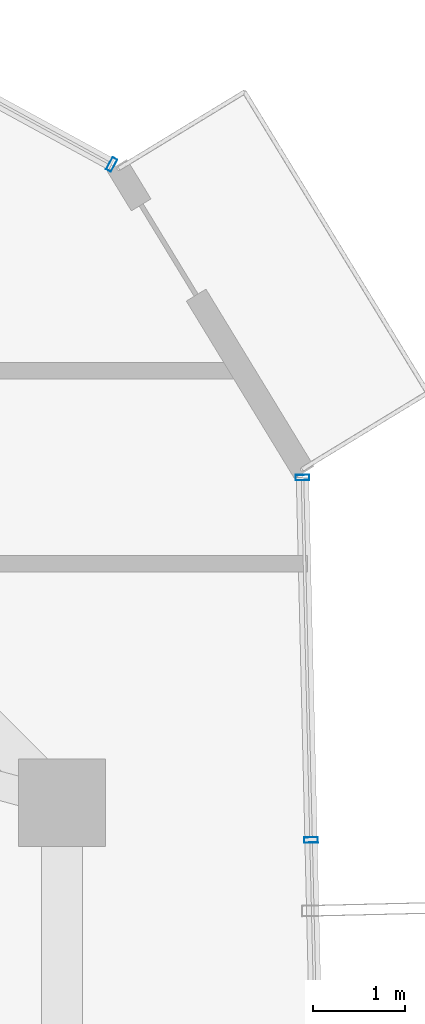
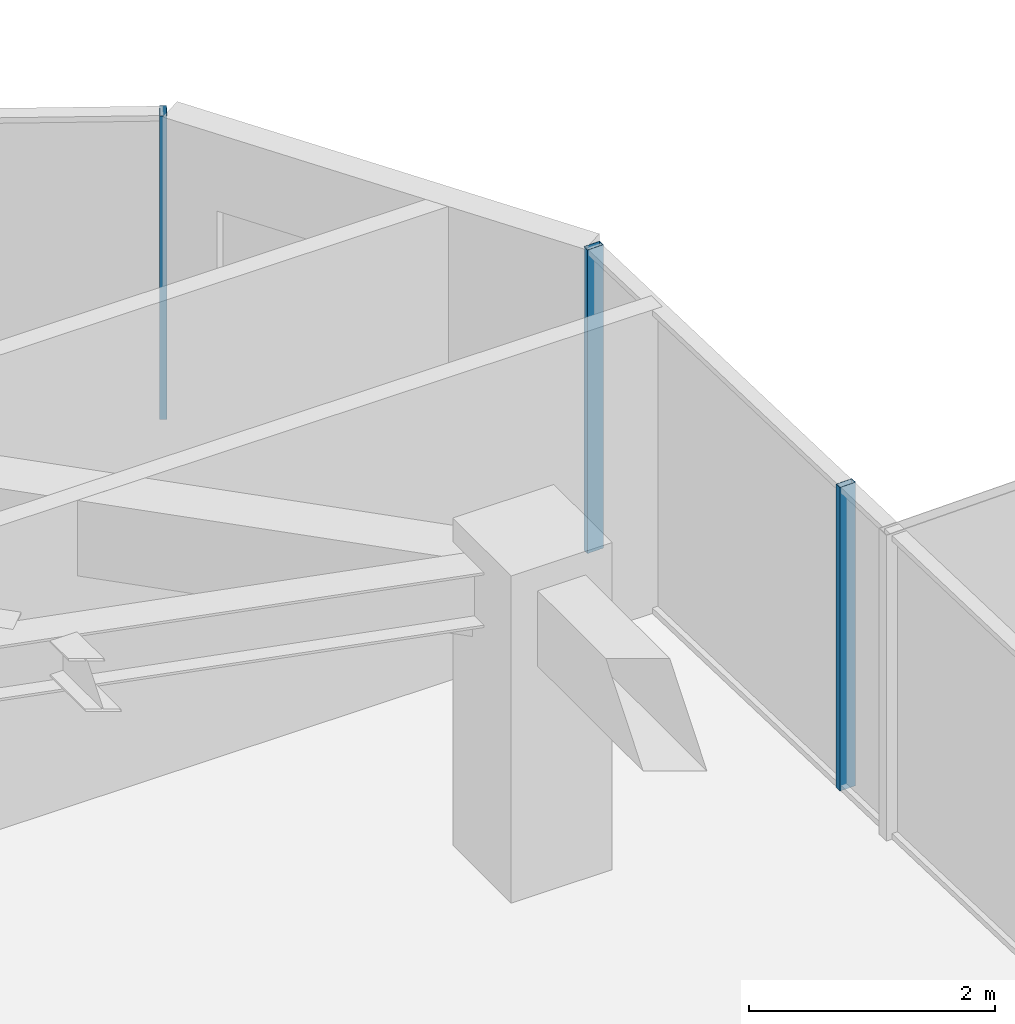
# One storey, part 20 of 32: 3 members, 2 elements without a shape of their own.
"""IFC4 building model written with IfcOpenShell, lengths in metres."""

from ifc_helpers import new_model, si_unit, direction, frame, origin, origin_2d, place, context, subcontext, project, spatial, hollow_rectangle, extrude, source, transform, mapped, material, layer, layer_set, material_profile, profile_set, type_object, element, aggregate, save


model = new_model("IFC4")

# Units and contexts
model_context = context("Model", 3, precision=1e-05, world=origin(), true_north=direction((0.0, 1.0)))
body_context = subcontext(model_context, "Body", "Model", "MODEL_VIEW")
ifc_project = project(units=[si_unit("LENGTHUNIT", "METRE"), si_unit("AREAUNIT", "SQUARE_METRE"), si_unit("VOLUMEUNIT", "CUBIC_METRE"), si_unit("PLANEANGLEUNIT", "RADIAN"), si_unit("MASSUNIT", "GRAM", prefix="KILO")], contexts=[model_context])

# Site, building, storey
site_placement = place(None, origin())
site = spatial("IfcSite", under=ifc_project, at=site_placement, CompositionType="ELEMENT")
building_placement = place(site_placement, origin())
building = spatial("IfcBuilding", under=site, at=building_placement, Name="Veraguas Prism Commons", CompositionType="ELEMENT")
storey_placement = place(building_placement, frame((0.0, 0.0, 201.60009765625)))
storey = spatial("IfcBuildingStorey", under=building, at=storey_placement, Name="L57", CompositionType="ELEMENT", Elevation=201.60009765625)

# Curtain wall, member
ifc_material = material(Name="Anodised aluminium EN AW-6063 T6", Category="aluminium")
ifc_layer = layer(ifc_material, 0.14990234375, Name="Unitised Flush Curtain Wall Zone 3", Category="aluminium")
ifc_layer_set = layer_set([ifc_layer], Name="Anodised aluminium EN AW-6063 T6")
curtain_wall_type = type_object("IfcCurtainWallType", Name="Unitised Flush Curtain Wall Zone 3", PredefinedType="NOTDEFINED", material=ifc_layer_set)
curtain_wall_1_placement = place(storey_placement, origin())
curtain_wall_1 = element("IfcCurtainWall", 1, at=curtain_wall_1_placement, inside=storey, type_object=curtain_wall_type, Name="Tower Facade Curtain Wall L57-F1", PredefinedType="NOTDEFINED")
ifc_material_profile = material_profile(ifc_material, hollow_rectangle(XDim=0.06005859375, YDim=0.14990234375, WallThickness=0.0029296875, at=origin_2d()), Name="AL60X150X3")
ifc_profile_set = profile_set([ifc_material_profile], Name="Anodised aluminium EN AW-6063 T6")
member_type = type_object("IfcMemberType", Name="Curtain Wall Mullion Upper AL 60x150x3", PredefinedType="MULLION", material=ifc_profile_set)
shared_shape = source(origin(), body_context, "Body", "SweptSolid", [
    extrude(hollow_rectangle(XDim=0.06005859375, YDim=0.14990234375, WallThickness=0.0029296875, at=origin_2d()), origin(), (0.0, 0.0, 1.0), 3.014892578125),
])
member_1_placement = place(storey_placement, frame((39.440673828125, 35.74658203125, 0.0), z_axis=(0.0, 0.0, 1.0), x_axis=(-0.877646898441, 0.479307752553, 0.0)))
member_1 = element("IfcMember", 2, at=member_1_placement, type_object=member_type, Name="CW-Z3 Mullion 1", PredefinedType="MULLION", context=body_context, shape_type="MappedRepresentation", body=[
    mapped(shared_shape, transform((0.0, 0.0, 0.0), scale=1.0)),
])
aggregate(curtain_wall_1, [member_1])

# Curtain wall, members
curtain_wall_2_placement = place(storey_placement, origin())
curtain_wall_2 = element("IfcCurtainWall", 3, at=curtain_wall_2_placement, inside=storey, type_object=curtain_wall_type, Name="Tower Facade Curtain Wall L57-F6", PredefinedType="NOTDEFINED")
member_2_placement = place(storey_placement, frame((41.61083984375, 28.394775390625, 0.0), z_axis=(0.0, 0.0, 1.0), x_axis=(-0.023737738629, 0.999718220182, 0.0)))
member_2 = element("IfcMember", 4, at=member_2_placement, type_object=member_type, Name="CW-Z3 Mullion 4", PredefinedType="MULLION", context=body_context, shape_type="MappedRepresentation", body=[
    mapped(shared_shape, transform((0.0, 0.0, 0.0), scale=1.0)),
])
member_3_placement = place(storey_placement, frame((41.517333984375, 32.33935546875, 0.0), z_axis=(0.0, 0.0, 1.0), x_axis=(-0.023737738629, 0.999718220182, 0.0)))
member_3 = element("IfcMember", 5, at=member_3_placement, type_object=member_type, Name="CW-Z3 Mullion 5", PredefinedType="MULLION", context=body_context, shape_type="MappedRepresentation", body=[
    mapped(shared_shape, transform((0.0, 0.0, 0.0), scale=1.0)),
])
aggregate(curtain_wall_2, [member_2, member_3])

save(model, "model.ifc")
